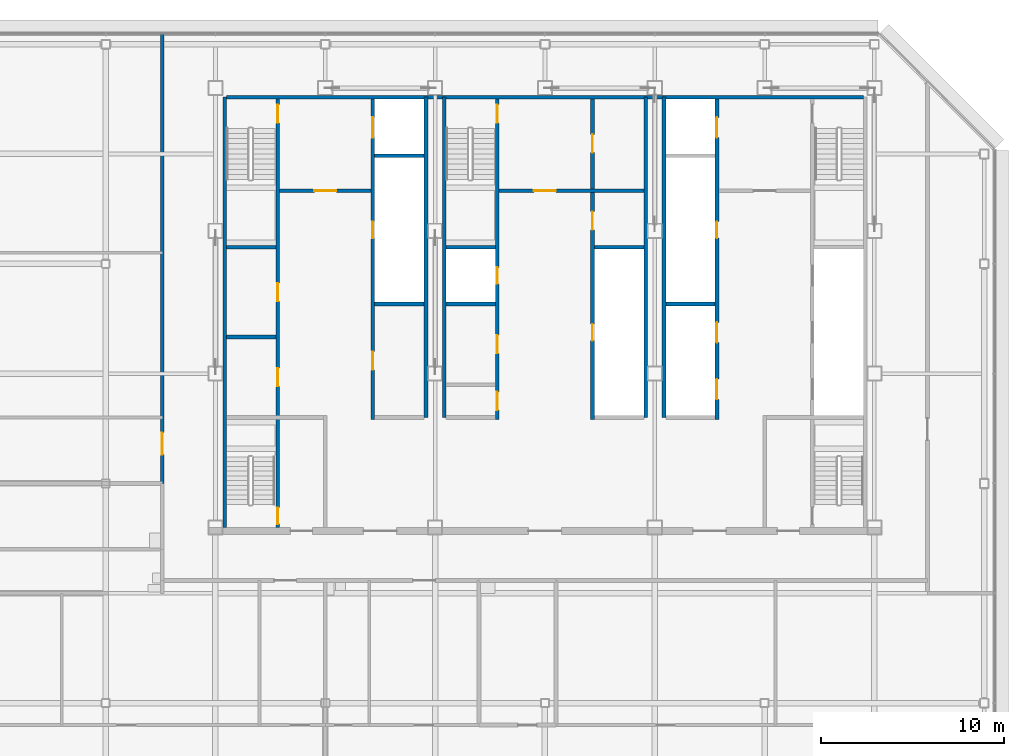
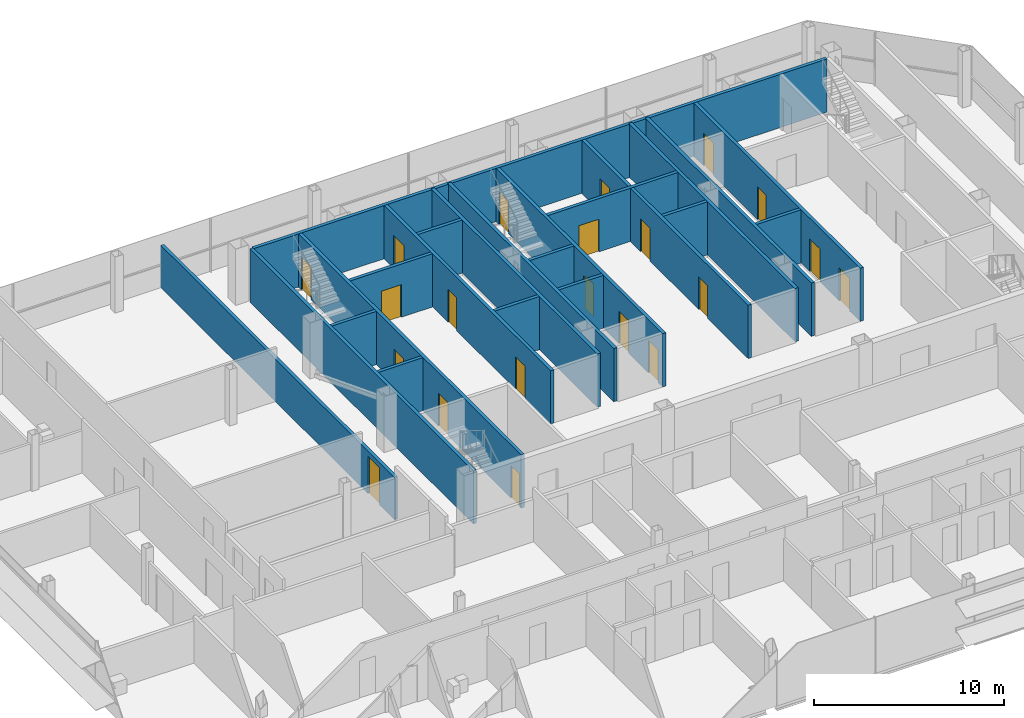
# One storey, part 24 of 28: 22 walls, 21 doors, 21 openings.
"""IFC4 building model written with IfcOpenShell, lengths in metres."""

from ifc_helpers import new_model, si_unit, direction, frame, frame_2d, origin, place, context, subcontext, project, spatial, rectangle, extrude, material, layer, layer_set, type_object, element, fill, save


model = new_model("IFC4")

# Units and contexts
model_context = context("Model", 3, precision=1e-05, world=origin(), true_north=direction((0.0, 1.0)))
body_context = subcontext(model_context, "Body", "Model", "MODEL_VIEW")
ifc_project = project(units=[si_unit("LENGTHUNIT", "METRE"), si_unit("AREAUNIT", "SQUARE_METRE"), si_unit("VOLUMEUNIT", "CUBIC_METRE"), si_unit("PLANEANGLEUNIT", "RADIAN"), si_unit("MASSUNIT", "GRAM", prefix="KILO")], contexts=[model_context])

# Site, building, storey
site_placement = place(None, origin())
site = spatial("IfcSite", under=ifc_project, at=site_placement, CompositionType="ELEMENT")
building_placement = place(site_placement, origin())
building = spatial("IfcBuilding", under=site, at=building_placement, Name="Sorahane Residences", CompositionType="ELEMENT")
storey_placement = place(building_placement, frame((0.0, 0.0, 301.60009765625)))
storey = spatial("IfcBuildingStorey", under=building, at=storey_placement, Name="L71", CompositionType="ELEMENT", Elevation=301.60009765625)

# Walls
ifc_material_1 = material(Name="Concrete C30", Category="concrete")
ifc_layer_1 = layer(ifc_material_1, 0.199951171875)
ifc_layer_set_1 = layer_set([ifc_layer_1], Name="Core face wall 200 EI 180")
wall_type_1 = type_object("IfcWallType", Name="Core face wall 200 EI 180", PredefinedType="SOLIDWALL", material=ifc_layer_set_1)
wall_1_placement = place(storey_placement, frame((6.5, 21.60009765625, 0.0), z_axis=(0.0, 0.0, 1.0), x_axis=(0.0, 1.0, 0.0)))
element("IfcWall", 1, at=wall_1_placement, inside=storey, type_object=wall_type_1, Name="L71 core face wall", PredefinedType="SOLIDWALL", context=body_context, shape_type="SweptSolid", body=[
    extrude(rectangle(XDim=23.5, YDim=0.199951171875, at=frame_2d((11.75, 0.0))), origin(), (0.0, 0.0, 1.0), 3.419921875),
])
wall_2_placement = place(storey_placement, frame((6.60009765625, 45.10009765625, 0.0), z_axis=(0.0, 0.0, 1.0), x_axis=(1.0, 0.0, 0.0)))
element("IfcWall", 2, at=wall_2_placement, inside=storey, type_object=wall_type_1, Name="L71 core face wall", PredefinedType="SOLIDWALL", context=body_context, shape_type="SweptSolid", body=[
    extrude(rectangle(XDim=34.7998046875, YDim=0.199951171875, at=frame_2d((17.39990234375, 0.0))), origin(), (0.0, 0.0, 1.0), 3.419921875),
])
for number, where, z_axis, x_axis, name in (
    (3, (17.5, 27.60009765625, 0.0), (0.0, 0.0, 1.0), (0.0, 1.0, 0.0), "L71 core face wall"),
    (4, (18.5, 27.60009765625, 0.0), (0.0, 0.0, 1.0), (0.0, 1.0, 0.0), "L71 core face wall"),
    (5, (29.5, 27.60009765625, 0.0), (0.0, 0.0, 1.0), (0.0, 1.0, 0.0), "L71 core face wall"),
    (6, (30.5, 27.60009765625, 0.0), (0.0, 0.0, 1.0), (0.0, 1.0, 0.0), "L71 core face wall"),
):
    element("IfcWall", number, at=place(storey_placement, frame(where, z_axis=z_axis, x_axis=x_axis)), inside=storey, type_object=wall_type_1, Name=name, PredefinedType="SOLIDWALL", context=body_context, shape_type="SweptSolid", body=[
        extrude(rectangle(XDim=17.5, YDim=0.199951171875, at=frame_2d((8.75, 0.0))), origin(), (0.0, 0.0, 1.0), 3.419921875),
    ])

# Wall, opening, door
ifc_material_2 = material(Name="Concrete blockwork C20 wall", Category="masonry")
ifc_layer_2 = layer(ifc_material_2, 0.199951171875)
ifc_layer_set_2 = layer_set([ifc_layer_2], Name="Corridor wall 200 EI 120")
wall_type_2 = type_object("IfcWallType", Name="Corridor wall 200 EI 120", PredefinedType="SOLIDWALL", material=ifc_layer_set_2)
wall_3_placement = place(storey_placement, frame((3.10009765625, 24.0, 0.0), z_axis=(0.0, 0.0, 1.0), x_axis=(0.0, 1.0, 0.0)))
wall_3 = element("IfcWall", 7, at=wall_3_placement, inside=storey, type_object=wall_type_2, Name="L71 corridor wall", PredefinedType="SOLIDWALL", context=body_context, shape_type="SweptSolid", body=[
    extrude(rectangle(XDim=24.60009765625, YDim=0.199951171875, at=frame_2d((12.300048828125, 0.0))), origin(), (0.0, 0.0, 1.0), 2.719970703125),
])
opening_1_placement = place(wall_3_placement, frame((1.580078125, 0.0, 0.0)))
opening_1 = element("IfcOpeningElement", 8, at=opening_1_placement, cuts=wall_3, Name="Opening L71-46", PredefinedType="OPENING", context=body_context, shape_type="SweptSolid", body=[
    extrude(rectangle(XDim=1.199951171875, YDim=2.39990234375, at=frame_2d((0.60009765625, 1.199951171875))), frame((0.0, 0.10986328125, 0.0), z_axis=(0.0, -1.0, 0.0), x_axis=(1.0, 0.0, 0.0)), (0.0, 0.0, 1.0), 0.219970703125),
])
ifc_material_3 = material(Name="Timber veneered fire door", Category="wood")
door_type_1 = type_object("IfcDoorType", Name="Flat entrance door 1200x2400 FD60", OperationType="NOTDEFINED", PredefinedType="DOOR", material=ifc_material_3)
door_1_placement = place(opening_1_placement, origin())
door_1 = element("IfcDoor", 9, at=door_1_placement, inside=storey, type_object=door_type_1, Name="Flat entrance door L71-46", OperationType="SINGLE_SWING_LEFT", OverallHeight=2.39990234375, OverallWidth=1.199951171875, PredefinedType="DOOR", context=body_context, shape_type="SweptSolid", body=[
    extrude(rectangle(XDim=1.199951171875, YDim=2.39990234375, at=frame_2d((0.60009765625, 1.199951171875))), frame((0.0, 0.02490234375, 0.0), z_axis=(0.0, -1.0, 0.0), x_axis=(1.0, 0.0, 0.0)), (0.0, 0.0, 1.0), 0.050048828125),
])
fill(opening_1, door_1)

ifc_material_4 = material(Name="Concrete C30", Category="concrete")
ifc_layer_3 = layer(ifc_material_4, 0.199951171875)
ifc_layer_set_3 = layer_set([ifc_layer_3], Name="Front room wall 200 EI 120")
wall_type_3 = type_object("IfcWallType", Name="Front room wall 200 EI 120", PredefinedType="PARTITIONING", material=ifc_layer_set_3)
wall_4_placement = place(storey_placement, frame((21.5, 40.0, 0.0), z_axis=(0.0, 0.0, 1.0), x_axis=(1.0, 0.0, 0.0)))
wall_4 = element("IfcWall", 10, at=wall_4_placement, inside=storey, type_object=wall_type_3, Name="L71 front room wall", PredefinedType="PARTITIONING", context=body_context, shape_type="SweptSolid", body=[
    extrude(rectangle(XDim=7.89990234375, YDim=0.199951171875, at=frame_2d((3.949951171875, 0.0))), origin(), (0.0, 0.0, 1.0), 3.419921875),
])
opening_2_placement = place(wall_4_placement, frame((1.89990234375, 0.0, 0.0)))
opening_2 = element("IfcOpeningElement", 11, at=opening_2_placement, cuts=wall_4, Name="Opening L71-C07", PredefinedType="OPENING", context=body_context, shape_type="SweptSolid", body=[
    extrude(rectangle(XDim=1.199951171875, YDim=2.10009765625, at=frame_2d((0.60009765625, 1.050048828125))), frame((0.0, 0.10986328125, 0.0), z_axis=(0.0, -1.0, 0.0), x_axis=(1.0, 0.0, 0.0)), (0.0, 0.0, 1.0), 0.219970703125),
])
ifc_material_5 = material(Name="Steel", Category="steel")
door_type_2 = type_object("IfcDoorType", Name="Front room door 1200x2100 FD120", OperationType="NOTDEFINED", PredefinedType="DOOR", material=ifc_material_5)
door_2_placement = place(opening_2_placement, frame((1.199951171875, 0.0, 0.0), z_axis=(0.0, 0.0, 1.0), x_axis=(-1.0, 0.0, 0.0)))
door_2 = element("IfcDoor", 12, at=door_2_placement, inside=storey, type_object=door_type_2, Name="Front room door Stair S3 vestibule L71", OperationType="DOUBLE_DOOR_SINGLE_SWING", OverallHeight=2.10009765625, OverallWidth=1.199951171875, PredefinedType="DOOR", context=body_context, shape_type="SweptSolid", body=[
    extrude(rectangle(XDim=1.199951171875, YDim=2.10009765625, at=frame_2d((0.60009765625, 1.050048828125))), frame((0.0, 0.02490234375, 0.0), z_axis=(0.0, -1.0, 0.0), x_axis=(1.0, 0.0, 0.0)), (0.0, 0.0, 1.0), 0.050048828125),
])
fill(opening_2, door_2)

wall_5_placement = place(storey_placement, frame((9.5, 40.0, 0.0), z_axis=(0.0, 0.0, 1.0), x_axis=(1.0, 0.0, 0.0)))
wall_5 = element("IfcWall", 13, at=wall_5_placement, inside=storey, type_object=wall_type_3, Name="L71 front room wall", PredefinedType="PARTITIONING", context=body_context, shape_type="SweptSolid", body=[
    extrude(rectangle(XDim=5.0, YDim=0.199951171875, at=frame_2d((2.5, 0.0))), origin(), (0.0, 0.0, 1.0), 3.419921875),
])
opening_3_placement = place(wall_5_placement, frame((1.89990234375, 0.0, 0.0)))
opening_3 = element("IfcOpeningElement", 14, at=opening_3_placement, cuts=wall_5, Name="Opening L71-C06", PredefinedType="OPENING", context=body_context, shape_type="SweptSolid", body=[
    extrude(rectangle(XDim=1.199951171875, YDim=2.10009765625, at=frame_2d((0.60009765625, 1.050048828125))), frame((0.0, 0.10986328125, 0.0), z_axis=(0.0, -1.0, 0.0), x_axis=(1.0, 0.0, 0.0)), (0.0, 0.0, 1.0), 0.219970703125),
])
door_3_placement = place(opening_3_placement, frame((1.199951171875, 0.0, 0.0), z_axis=(0.0, 0.0, 1.0), x_axis=(-1.0, 0.0, 0.0)))
door_3 = element("IfcDoor", 15, at=door_3_placement, inside=storey, type_object=door_type_2, Name="Front room door Firefighting lobby FF1 front room L71", OperationType="DOUBLE_DOOR_SINGLE_SWING", OverallHeight=2.10009765625, OverallWidth=1.199951171875, PredefinedType="DOOR", context=body_context, shape_type="SweptSolid", body=[
    extrude(rectangle(XDim=1.199951171875, YDim=2.10009765625, at=frame_2d((0.60009765625, 1.050048828125))), frame((0.0, 0.02490234375, 0.0), z_axis=(0.0, -1.0, 0.0), x_axis=(1.0, 0.0, 0.0)), (0.0, 0.0, 1.0), 0.050048828125),
])
fill(opening_3, door_3)

# Wall, openings, doors
ifc_material_6 = material(Name="Concrete C30", Category="concrete")
ifc_layer_4 = layer(ifc_material_6, 0.199951171875)
ifc_layer_set_4 = layer_set([ifc_layer_4], Name="Lift shaft wall 200 EI 120")
wall_type_4 = type_object("IfcWallType", Name="Lift shaft wall 200 EI 120", PredefinedType="SOLIDWALL", material=ifc_layer_set_4)
wall_6_placement = place(storey_placement, frame((14.60009765625, 27.5, 0.0), z_axis=(0.0, 0.0, 1.0), x_axis=(0.0, 1.0, 0.0)))
wall_6 = element("IfcWall", 16, at=wall_6_placement, inside=storey, type_object=wall_type_4, Name="L71 lift shaft wall", PredefinedType="SOLIDWALL", context=body_context, shape_type="SweptSolid", body=[
    extrude(rectangle(XDim=17.5, YDim=0.199951171875, at=frame_2d((8.75, 0.0))), origin(), (0.0, 0.0, 1.0), 3.419921875),
])
opening_4_placement = place(wall_6_placement, frame((15.39990234375, 0.0, 0.0)))
opening_4 = element("IfcOpeningElement", 17, at=opening_4_placement, cuts=wall_6, Name="Opening L71-C15", PredefinedType="OPENING", context=body_context, shape_type="SweptSolid", body=[
    extrude(rectangle(XDim=1.10009765625, YDim=2.10009765625, at=frame_2d((0.550048828125, 1.050048828125))), frame((0.0, 0.10986328125, 0.0), z_axis=(0.0, -1.0, 0.0), x_axis=(1.0, 0.0, 0.0)), (0.0, 0.0, 1.0), 0.219970703125),
])
opening_5_placement = place(wall_6_placement, frame((2.699951171875, 0.0, 0.0)))
opening_5 = element("IfcOpeningElement", 18, at=opening_5_placement, cuts=wall_6, Name="Opening L71-C18", PredefinedType="OPENING", context=body_context, shape_type="SweptSolid", body=[
    extrude(rectangle(XDim=1.0, YDim=2.10009765625, at=frame_2d((0.5, 1.050048828125))), frame((0.0, 0.10986328125, 0.0), z_axis=(0.0, -1.0, 0.0), x_axis=(1.0, 0.0, 0.0)), (0.0, 0.0, 1.0), 0.219970703125),
])
opening_6_placement = place(wall_6_placement, frame((9.89990234375, 0.0, 0.0)))
opening_6 = element("IfcOpeningElement", 19, at=opening_6_placement, cuts=wall_6, Name="Opening L71-C26", PredefinedType="OPENING", context=body_context, shape_type="SweptSolid", body=[
    extrude(rectangle(XDim=0.89990234375, YDim=2.10009765625, at=frame_2d((0.449951171875, 1.050048828125))), frame((0.0, 0.10986328125, 0.0), z_axis=(0.0, -1.0, 0.0), x_axis=(1.0, 0.0, 0.0)), (0.0, 0.0, 1.0), 0.219970703125),
])
ifc_material_7 = material(Name="Aluminium and stainless steel", Category="steel")
door_type_3 = type_object("IfcDoorType", Name="Lift landing door 1100x2100 E 60", OperationType="NOTDEFINED", PredefinedType="DOOR", material=ifc_material_7)
door_4_placement = place(opening_4_placement, origin())
door_4 = element("IfcDoor", 20, at=door_4_placement, inside=storey, type_object=door_type_3, Name="Lift landing door FF1 L71", OperationType="DOUBLE_DOOR_SLIDING", OverallHeight=2.10009765625, OverallWidth=1.10009765625, PredefinedType="DOOR", context=body_context, shape_type="SweptSolid", body=[
    extrude(rectangle(XDim=1.10009765625, YDim=2.10009765625, at=frame_2d((0.550048828125, 1.050048828125))), frame((0.0, 0.02490234375, 0.0), z_axis=(0.0, -1.0, 0.0), x_axis=(1.0, 0.0, 0.0)), (0.0, 0.0, 1.0), 0.050048828125),
])
fill(opening_4, door_4)
ifc_material_8 = material(Name="Steel", Category="steel")
door_type_4 = type_object("IfcDoorType", Name="Riser door 900x2100 FD120", OperationType="NOTDEFINED", PredefinedType="DOOR", material=ifc_material_8)
door_5_placement = place(opening_6_placement, origin())
door_5 = element("IfcDoor", 21, at=door_5_placement, inside=storey, type_object=door_type_4, Name="Riser door R1 L71", OperationType="SINGLE_SWING_LEFT", OverallHeight=2.10009765625, OverallWidth=0.89990234375, PredefinedType="DOOR", context=body_context, shape_type="SweptSolid", body=[
    extrude(rectangle(XDim=0.89990234375, YDim=2.10009765625, at=frame_2d((0.449951171875, 1.050048828125))), frame((0.0, 0.02490234375, 0.0), z_axis=(0.0, -1.0, 0.0), x_axis=(1.0, 0.0, 0.0)), (0.0, 0.0, 1.0), 0.050048828125),
])
fill(opening_6, door_5)
ifc_material_9 = material(Name="Steel", Category="steel")
door_type_5 = type_object("IfcDoorType", Name="Service room door 1000x2100 FD60", OperationType="NOTDEFINED", PredefinedType="DOOR", material=ifc_material_9)
door_6_placement = place(opening_5_placement, frame((1.0, 0.0, 0.0), z_axis=(0.0, 0.0, 1.0), x_axis=(-1.0, 0.0, 0.0)))
door_6 = element("IfcDoor", 22, at=door_6_placement, inside=storey, type_object=door_type_5, Name="Service room door Tea room L71", OperationType="SINGLE_SWING_RIGHT", OverallHeight=2.10009765625, OverallWidth=1.0, PredefinedType="DOOR", context=body_context, shape_type="SweptSolid", body=[
    extrude(rectangle(XDim=1.0, YDim=2.10009765625, at=frame_2d((0.5, 1.050048828125))), frame((0.0, 0.02490234375, 0.0), z_axis=(0.0, -1.0, 0.0), x_axis=(1.0, 0.0, 0.0)), (0.0, 0.0, 1.0), 0.050048828125),
])
fill(opening_5, door_6)

wall_7_placement = place(storey_placement, frame((33.39990234375, 27.5, 0.0), z_axis=(0.0, 0.0, 1.0), x_axis=(0.0, 1.0, 0.0)))
wall_7 = element("IfcWall", 23, at=wall_7_placement, inside=storey, type_object=wall_type_4, Name="L71 lift shaft wall", PredefinedType="SOLIDWALL", context=body_context, shape_type="SweptSolid", body=[
    extrude(rectangle(XDim=17.5, YDim=0.199951171875, at=frame_2d((8.75, 0.0))), origin(), (0.0, 0.0, 1.0), 3.419921875),
])
opening_7_placement = place(wall_7_placement, frame((1.10009765625, 0.0, 0.0)))
opening_7 = element("IfcOpeningElement", 24, at=opening_7_placement, cuts=wall_7, Name="Opening L71-C12", PredefinedType="OPENING", context=body_context, shape_type="SweptSolid", body=[
    extrude(rectangle(XDim=1.10009765625, YDim=2.10009765625, at=frame_2d((0.550048828125, 1.050048828125))), frame((0.0, 0.10986328125, 0.0), z_axis=(0.0, -1.0, 0.0), x_axis=(1.0, 0.0, 0.0)), (0.0, 0.0, 1.0), 0.219970703125),
])
opening_8_placement = place(wall_7_placement, frame((4.199951171875, 0.0, 0.0)))
opening_8 = element("IfcOpeningElement", 25, at=opening_8_placement, cuts=wall_7, Name="Opening L71-C13", PredefinedType="OPENING", context=body_context, shape_type="SweptSolid", body=[
    extrude(rectangle(XDim=1.10009765625, YDim=2.10009765625, at=frame_2d((0.550048828125, 1.050048828125))), frame((0.0, 0.10986328125, 0.0), z_axis=(0.0, -1.0, 0.0), x_axis=(1.0, 0.0, 0.0)), (0.0, 0.0, 1.0), 0.219970703125),
])
opening_9_placement = place(wall_7_placement, frame((15.39990234375, 0.0, 0.0)))
opening_9 = element("IfcOpeningElement", 26, at=opening_9_placement, cuts=wall_7, Name="Opening L71-C14", PredefinedType="OPENING", context=body_context, shape_type="SweptSolid", body=[
    extrude(rectangle(XDim=1.10009765625, YDim=2.10009765625, at=frame_2d((0.550048828125, 1.050048828125))), frame((0.0, 0.10986328125, 0.0), z_axis=(0.0, -1.0, 0.0), x_axis=(1.0, 0.0, 0.0)), (0.0, 0.0, 1.0), 0.219970703125),
])
opening_10_placement = place(wall_7_placement, frame((9.89990234375, 0.0, 0.0)))
opening_10 = element("IfcOpeningElement", 27, at=opening_10_placement, cuts=wall_7, Name="Opening L71-C27", PredefinedType="OPENING", context=body_context, shape_type="SweptSolid", body=[
    extrude(rectangle(XDim=0.89990234375, YDim=2.10009765625, at=frame_2d((0.449951171875, 1.050048828125))), frame((0.0, 0.10986328125, 0.0), z_axis=(0.0, -1.0, 0.0), x_axis=(1.0, 0.0, 0.0)), (0.0, 0.0, 1.0), 0.219970703125),
])
door_7_placement = place(opening_7_placement, origin())
door_7 = element("IfcDoor", 28, at=door_7_placement, inside=storey, type_object=door_type_3, Name="Lift landing door HR4 L71", OperationType="DOUBLE_DOOR_SLIDING", OverallHeight=2.10009765625, OverallWidth=1.10009765625, PredefinedType="DOOR", context=body_context, shape_type="SweptSolid", body=[
    extrude(rectangle(XDim=1.10009765625, YDim=2.10009765625, at=frame_2d((0.550048828125, 1.050048828125))), frame((0.0, 0.02490234375, 0.0), z_axis=(0.0, -1.0, 0.0), x_axis=(1.0, 0.0, 0.0)), (0.0, 0.0, 1.0), 0.050048828125),
])
fill(opening_7, door_7)
door_8_placement = place(opening_8_placement, origin())
door_8 = element("IfcDoor", 29, at=door_8_placement, inside=storey, type_object=door_type_3, Name="Lift landing door HR5 L71", OperationType="DOUBLE_DOOR_SLIDING", OverallHeight=2.10009765625, OverallWidth=1.10009765625, PredefinedType="DOOR", context=body_context, shape_type="SweptSolid", body=[
    extrude(rectangle(XDim=1.10009765625, YDim=2.10009765625, at=frame_2d((0.550048828125, 1.050048828125))), frame((0.0, 0.02490234375, 0.0), z_axis=(0.0, -1.0, 0.0), x_axis=(1.0, 0.0, 0.0)), (0.0, 0.0, 1.0), 0.050048828125),
])
fill(opening_8, door_8)
door_9_placement = place(opening_9_placement, origin())
door_9 = element("IfcDoor", 30, at=door_9_placement, inside=storey, type_object=door_type_3, Name="Lift landing door FF2 L71", OperationType="DOUBLE_DOOR_SLIDING", OverallHeight=2.10009765625, OverallWidth=1.10009765625, PredefinedType="DOOR", context=body_context, shape_type="SweptSolid", body=[
    extrude(rectangle(XDim=1.10009765625, YDim=2.10009765625, at=frame_2d((0.550048828125, 1.050048828125))), frame((0.0, 0.02490234375, 0.0), z_axis=(0.0, -1.0, 0.0), x_axis=(1.0, 0.0, 0.0)), (0.0, 0.0, 1.0), 0.050048828125),
])
fill(opening_9, door_9)
door_10_placement = place(opening_10_placement, frame((0.89990234375, 0.0, 0.0), z_axis=(0.0, 0.0, 1.0), x_axis=(-1.0, 0.0, 0.0)))
door_10 = element("IfcDoor", 31, at=door_10_placement, inside=storey, type_object=door_type_4, Name="Riser door R2 L71", OperationType="SINGLE_SWING_LEFT", OverallHeight=2.10009765625, OverallWidth=0.89990234375, PredefinedType="DOOR", context=body_context, shape_type="SweptSolid", body=[
    extrude(rectangle(XDim=0.89990234375, YDim=2.10009765625, at=frame_2d((0.449951171875, 1.050048828125))), frame((0.0, 0.02490234375, 0.0), z_axis=(0.0, -1.0, 0.0), x_axis=(1.0, 0.0, 0.0)), (0.0, 0.0, 1.0), 0.050048828125),
])
fill(opening_10, door_10)

# Walls
for number, where, z_axis, x_axis, name in (
    (32, (30.60009765625, 33.800048828125, 0.0), (0.0, 0.0, 1.0), (1.0, 0.0, 0.0), "L71 lift shaft wall"),
    (33, (14.699951171875, 41.89990234375, 0.0), (0.0, 0.0, 1.0), (1.0, 0.0, 0.0), "L71 lift shaft wall"),
):
    element("IfcWall", number, at=place(storey_placement, frame(where, z_axis=z_axis, x_axis=x_axis)), inside=storey, type_object=wall_type_4, Name=name, PredefinedType="SOLIDWALL", context=body_context, shape_type="SweptSolid", body=[
        extrude(rectangle(XDim=2.699951171875, YDim=0.199951171875, at=frame_2d((1.35009765625, 0.0))), origin(), (0.0, 0.0, 1.0), 3.419921875),
    ])

# Wall, openings, doors
ifc_material_10 = material(Name="Concrete C30", Category="concrete")
ifc_layer_5 = layer(ifc_material_10, 0.199951171875)
ifc_layer_set_5 = layer_set([ifc_layer_5], Name="Riser shaft wall 200 EI 120")
wall_type_5 = type_object("IfcWallType", Name="Riser shaft wall 200 EI 120", PredefinedType="SOLIDWALL", material=ifc_layer_set_5)
wall_8_placement = place(storey_placement, frame((26.60009765625, 27.5, 0.0), z_axis=(0.0, 0.0, 1.0), x_axis=(0.0, 1.0, 0.0)))
wall_8 = element("IfcWall", 34, at=wall_8_placement, inside=storey, type_object=wall_type_5, Name="L71 riser wall", PredefinedType="SOLIDWALL", context=body_context, shape_type="SweptSolid", body=[
    extrude(rectangle(XDim=17.5, YDim=0.199951171875, at=frame_2d((8.75, 0.0))), origin(), (0.0, 0.0, 1.0), 3.419921875),
])
opening_11_placement = place(wall_8_placement, frame((4.300048828125, 0.0, 0.0)))
opening_11 = element("IfcOpeningElement", 35, at=opening_11_placement, cuts=wall_8, Name="Opening L71-C29", PredefinedType="OPENING", context=body_context, shape_type="SweptSolid", body=[
    extrude(rectangle(XDim=0.89990234375, YDim=2.10009765625, at=frame_2d((0.449951171875, 1.050048828125))), frame((0.0, 0.10986328125, 0.0), z_axis=(0.0, -1.0, 0.0), x_axis=(1.0, 0.0, 0.0)), (0.0, 0.0, 1.0), 0.219970703125),
])
opening_12_placement = place(wall_8_placement, frame((10.35009765625, 0.0, 0.0)))
opening_12 = element("IfcOpeningElement", 36, at=opening_12_placement, cuts=wall_8, Name="Opening L71-C30", PredefinedType="OPENING", context=body_context, shape_type="SweptSolid", body=[
    extrude(rectangle(XDim=1.0, YDim=2.10009765625, at=frame_2d((0.5, 1.050048828125))), frame((0.0, 0.10986328125, 0.0), z_axis=(0.0, -1.0, 0.0), x_axis=(1.0, 0.0, 0.0)), (0.0, 0.0, 1.0), 0.219970703125),
])
opening_13_placement = place(wall_8_placement, frame((14.574951171875, 0.0, 0.0)))
opening_13 = element("IfcOpeningElement", 37, at=opening_13_placement, cuts=wall_8, Name="Opening L71-C31", PredefinedType="OPENING", context=body_context, shape_type="SweptSolid", body=[
    extrude(rectangle(XDim=1.0, YDim=2.10009765625, at=frame_2d((0.5, 1.050048828125))), frame((0.0, 0.10986328125, 0.0), z_axis=(0.0, -1.0, 0.0), x_axis=(1.0, 0.0, 0.0)), (0.0, 0.0, 1.0), 0.219970703125),
])
door_11_placement = place(opening_11_placement, origin())
door_11 = element("IfcDoor", 38, at=door_11_placement, inside=storey, type_object=door_type_4, Name="Riser door R4 L71", OperationType="SINGLE_SWING_LEFT", OverallHeight=2.10009765625, OverallWidth=0.89990234375, PredefinedType="DOOR", context=body_context, shape_type="SweptSolid", body=[
    extrude(rectangle(XDim=0.89990234375, YDim=2.10009765625, at=frame_2d((0.449951171875, 1.050048828125))), frame((0.0, 0.02490234375, 0.0), z_axis=(0.0, -1.0, 0.0), x_axis=(1.0, 0.0, 0.0)), (0.0, 0.0, 1.0), 0.050048828125),
])
fill(opening_11, door_11)
door_12_placement = place(opening_12_placement, frame((1.0, 0.0, 0.0), z_axis=(0.0, 0.0, 1.0), x_axis=(-1.0, 0.0, 0.0)))
door_12 = element("IfcDoor", 39, at=door_12_placement, inside=storey, type_object=door_type_5, Name="Service room door Linen room L71", OperationType="SINGLE_SWING_LEFT", OverallHeight=2.10009765625, OverallWidth=1.0, PredefinedType="DOOR", context=body_context, shape_type="SweptSolid", body=[
    extrude(rectangle(XDim=1.0, YDim=2.10009765625, at=frame_2d((0.5, 1.050048828125))), frame((0.0, 0.02490234375, 0.0), z_axis=(0.0, -1.0, 0.0), x_axis=(1.0, 0.0, 0.0)), (0.0, 0.0, 1.0), 0.050048828125),
])
fill(opening_12, door_12)
door_13_placement = place(opening_13_placement, frame((1.0, 0.0, 0.0), z_axis=(0.0, 0.0, 1.0), x_axis=(-1.0, 0.0, 0.0)))
door_13 = element("IfcDoor", 40, at=door_13_placement, inside=storey, type_object=door_type_5, Name="Service room door Cleaners' store L71", OperationType="SINGLE_SWING_LEFT", OverallHeight=2.10009765625, OverallWidth=1.0, PredefinedType="DOOR", context=body_context, shape_type="SweptSolid", body=[
    extrude(rectangle(XDim=1.0, YDim=2.10009765625, at=frame_2d((0.5, 1.050048828125))), frame((0.0, 0.02490234375, 0.0), z_axis=(0.0, -1.0, 0.0), x_axis=(1.0, 0.0, 0.0)), (0.0, 0.0, 1.0), 0.050048828125),
])
fill(opening_13, door_13)

# Walls
for number, where, z_axis, x_axis, name in (
    (41, (14.699951171875, 33.800048828125, 0.0), (0.0, 0.0, 1.0), (1.0, 0.0, 0.0), "L71 riser wall"),
    (42, (18.60009765625, 33.800048828125, 0.0), (0.0, 0.0, 1.0), (1.0, 0.0, 0.0), "L71 riser wall"),
    (43, (26.699951171875, 36.89990234375, 0.0), (0.0, 0.0, 1.0), (1.0, 0.0, 0.0), "L71 riser wall"),
):
    element("IfcWall", number, at=place(storey_placement, frame(where, z_axis=z_axis, x_axis=x_axis)), inside=storey, type_object=wall_type_5, Name=name, PredefinedType="SOLIDWALL", context=body_context, shape_type="SweptSolid", body=[
        extrude(rectangle(XDim=2.699951171875, YDim=0.199951171875, at=frame_2d((1.35009765625, 0.0))), origin(), (0.0, 0.0, 1.0), 3.419921875),
    ])
ifc_material_11 = material(Name="Concrete C30", Category="concrete")
ifc_layer_6 = layer(ifc_material_11, 0.199951171875)
ifc_layer_set_6 = layer_set([ifc_layer_6], Name="Service room partition 200 EI 60")
wall_type_6 = type_object("IfcWallType", Name="Service room partition 200 EI 60", PredefinedType="PARTITIONING", material=ifc_layer_set_6)
wall_9_placement = place(storey_placement, frame((6.60009765625, 32.0, 0.0), z_axis=(0.0, 0.0, 1.0), x_axis=(1.0, 0.0, 0.0)))
element("IfcWall", 44, at=wall_9_placement, inside=storey, type_object=wall_type_6, Name="L71 service room wall", PredefinedType="PARTITIONING", context=body_context, shape_type="SweptSolid", body=[
    extrude(rectangle(XDim=2.699951171875, YDim=0.199951171875, at=frame_2d((1.35009765625, 0.0))), origin(), (0.0, 0.0, 1.0), 3.419921875),
])

# Wall, openings, doors
ifc_material_12 = material(Name="Concrete C30", Category="concrete")
ifc_layer_7 = layer(ifc_material_12, 0.199951171875)
ifc_layer_set_7 = layer_set([ifc_layer_7], Name="Stair enclosure wall 200 EI 120")
wall_type_7 = type_object("IfcWallType", Name="Stair enclosure wall 200 EI 120", PredefinedType="SOLIDWALL", material=ifc_layer_set_7)
wall_10_placement = place(storey_placement, frame((21.39990234375, 27.5, 0.0), z_axis=(0.0, 0.0, 1.0), x_axis=(0.0, 1.0, 0.0)))
wall_10 = element("IfcWall", 45, at=wall_10_placement, inside=storey, type_object=wall_type_7, Name="L71 stair enclosure wall", PredefinedType="SOLIDWALL", context=body_context, shape_type="SweptSolid", body=[
    extrude(rectangle(XDim=17.5, YDim=0.199951171875, at=frame_2d((8.75, 0.0))), origin(), (0.0, 0.0, 1.0), 3.419921875),
])
opening_14_placement = place(wall_10_placement, frame((0.5, 0.0, 0.0)))
opening_14 = element("IfcOpeningElement", 46, at=opening_14_placement, cuts=wall_10, Name="Opening L71-C16", PredefinedType="OPENING", context=body_context, shape_type="SweptSolid", body=[
    extrude(rectangle(XDim=1.0, YDim=2.10009765625, at=frame_2d((0.5, 1.050048828125))), frame((0.0, 0.10986328125, 0.0), z_axis=(0.0, -1.0, 0.0), x_axis=(1.0, 0.0, 0.0)), (0.0, 0.0, 1.0), 0.219970703125),
])
opening_15_placement = place(wall_10_placement, frame((3.60009765625, 0.0, 0.0)))
opening_15 = element("IfcOpeningElement", 47, at=opening_15_placement, cuts=wall_10, Name="Opening L71-C17", PredefinedType="OPENING", context=body_context, shape_type="SweptSolid", body=[
    extrude(rectangle(XDim=1.0, YDim=2.10009765625, at=frame_2d((0.5, 1.050048828125))), frame((0.0, 0.10986328125, 0.0), z_axis=(0.0, -1.0, 0.0), x_axis=(1.0, 0.0, 0.0)), (0.0, 0.0, 1.0), 0.219970703125),
])
opening_16_placement = place(wall_10_placement, frame((16.199951171875, 0.0, 0.0)))
opening_16 = element("IfcOpeningElement", 48, at=opening_16_placement, cuts=wall_10, Name="Opening L71-C23", PredefinedType="OPENING", context=body_context, shape_type="SweptSolid", body=[
    extrude(rectangle(XDim=1.0, YDim=2.10009765625, at=frame_2d((0.5, 1.050048828125))), frame((0.0, 0.10986328125, 0.0), z_axis=(0.0, -1.0, 0.0), x_axis=(1.0, 0.0, 0.0)), (0.0, 0.0, 1.0), 0.219970703125),
])
opening_17_placement = place(wall_10_placement, frame((7.39990234375, 0.0, 0.0)))
opening_17 = element("IfcOpeningElement", 49, at=opening_17_placement, cuts=wall_10, Name="Opening L71-C28", PredefinedType="OPENING", context=body_context, shape_type="SweptSolid", body=[
    extrude(rectangle(XDim=0.89990234375, YDim=2.10009765625, at=frame_2d((0.449951171875, 1.050048828125))), frame((0.0, 0.10986328125, 0.0), z_axis=(0.0, -1.0, 0.0), x_axis=(1.0, 0.0, 0.0)), (0.0, 0.0, 1.0), 0.219970703125),
])
door_14_placement = place(opening_17_placement, frame((0.89990234375, 0.0, 0.0), z_axis=(0.0, 0.0, 1.0), x_axis=(-1.0, 0.0, 0.0)))
door_14 = element("IfcDoor", 50, at=door_14_placement, inside=storey, type_object=door_type_4, Name="Riser door R3 L71", OperationType="SINGLE_SWING_LEFT", OverallHeight=2.10009765625, OverallWidth=0.89990234375, PredefinedType="DOOR", context=body_context, shape_type="SweptSolid", body=[
    extrude(rectangle(XDim=0.89990234375, YDim=2.10009765625, at=frame_2d((0.449951171875, 1.050048828125))), frame((0.0, 0.02490234375, 0.0), z_axis=(0.0, -1.0, 0.0), x_axis=(1.0, 0.0, 0.0)), (0.0, 0.0, 1.0), 0.050048828125),
])
fill(opening_17, door_14)
door_15_placement = place(opening_14_placement, origin())
door_15 = element("IfcDoor", 51, at=door_15_placement, inside=storey, type_object=door_type_5, Name="Service room door Linen store L71", OperationType="SINGLE_SWING_RIGHT", OverallHeight=2.10009765625, OverallWidth=1.0, PredefinedType="DOOR", context=body_context, shape_type="SweptSolid", body=[
    extrude(rectangle(XDim=1.0, YDim=2.10009765625, at=frame_2d((0.5, 1.050048828125))), frame((0.0, 0.02490234375, 0.0), z_axis=(0.0, -1.0, 0.0), x_axis=(1.0, 0.0, 0.0)), (0.0, 0.0, 1.0), 0.050048828125),
])
fill(opening_14, door_15)
door_16_placement = place(opening_15_placement, origin())
door_16 = element("IfcDoor", 52, at=door_16_placement, inside=storey, type_object=door_type_5, Name="Service room door Library L71", OperationType="SINGLE_SWING_LEFT", OverallHeight=2.10009765625, OverallWidth=1.0, PredefinedType="DOOR", context=body_context, shape_type="SweptSolid", body=[
    extrude(rectangle(XDim=1.0, YDim=2.10009765625, at=frame_2d((0.5, 1.050048828125))), frame((0.0, 0.02490234375, 0.0), z_axis=(0.0, -1.0, 0.0), x_axis=(1.0, 0.0, 0.0)), (0.0, 0.0, 1.0), 0.050048828125),
])
fill(opening_15, door_16)
ifc_material_13 = material(Name="Steel", Category="steel")
door_type_6 = type_object("IfcDoorType", Name="Stair door 1000x2100 FD120", OperationType="NOTDEFINED", PredefinedType="DOOR", material=ifc_material_13)
door_17_placement = place(opening_16_placement, origin())
door_17 = element("IfcDoor", 53, at=door_17_placement, inside=storey, type_object=door_type_6, Name="Stair door S3 L71", OperationType="SINGLE_SWING_LEFT", OverallHeight=2.10009765625, OverallWidth=1.0, PredefinedType="DOOR", context=body_context, shape_type="SweptSolid", body=[
    extrude(rectangle(XDim=1.0, YDim=2.10009765625, at=frame_2d((0.5, 1.050048828125))), frame((0.0, 0.02490234375, 0.0), z_axis=(0.0, -1.0, 0.0), x_axis=(1.0, 0.0, 0.0)), (0.0, 0.0, 1.0), 0.050048828125),
])
fill(opening_16, door_17)

wall_11_placement = place(storey_placement, frame((9.39990234375, 21.60009765625, 0.0), z_axis=(0.0, 0.0, 1.0), x_axis=(0.0, 1.0, 0.0)))
wall_11 = element("IfcWall", 54, at=wall_11_placement, inside=storey, type_object=wall_type_7, Name="L71 stair enclosure wall", PredefinedType="SOLIDWALL", context=body_context, shape_type="SweptSolid", body=[
    extrude(rectangle(XDim=23.39990234375, YDim=0.199951171875, at=frame_2d((11.699951171875, 0.0))), origin(), (0.0, 0.0, 1.0), 3.419921875),
])
opening_18_placement = place(wall_11_placement, frame((7.699951171875, 0.0, 0.0)))
opening_18 = element("IfcOpeningElement", 55, at=opening_18_placement, cuts=wall_11, Name="Opening L71-C19", PredefinedType="OPENING", context=body_context, shape_type="SweptSolid", body=[
    extrude(rectangle(XDim=1.0, YDim=2.10009765625, at=frame_2d((0.5, 1.050048828125))), frame((0.0, 0.10986328125, 0.0), z_axis=(0.0, -1.0, 0.0), x_axis=(1.0, 0.0, 0.0)), (0.0, 0.0, 1.0), 0.219970703125),
])
opening_19_placement = place(wall_11_placement, frame((12.35009765625, 0.0, 0.0)))
opening_19 = element("IfcOpeningElement", 56, at=opening_19_placement, cuts=wall_11, Name="Opening L71-C20", PredefinedType="OPENING", context=body_context, shape_type="SweptSolid", body=[
    extrude(rectangle(XDim=1.0, YDim=2.10009765625, at=frame_2d((0.5, 1.050048828125))), frame((0.0, 0.10986328125, 0.0), z_axis=(0.0, -1.0, 0.0), x_axis=(1.0, 0.0, 0.0)), (0.0, 0.0, 1.0), 0.219970703125),
])
opening_20_placement = place(wall_11_placement, frame((22.10009765625, 0.0, 0.0)))
opening_20 = element("IfcOpeningElement", 57, at=opening_20_placement, cuts=wall_11, Name="Opening L71-C21", PredefinedType="OPENING", context=body_context, shape_type="SweptSolid", body=[
    extrude(rectangle(XDim=1.0, YDim=2.10009765625, at=frame_2d((0.5, 1.050048828125))), frame((0.0, 0.10986328125, 0.0), z_axis=(0.0, -1.0, 0.0), x_axis=(1.0, 0.0, 0.0)), (0.0, 0.0, 1.0), 0.219970703125),
])
opening_21_placement = place(wall_11_placement, frame((0.175048828125, 0.0, 0.0)))
opening_21 = element("IfcOpeningElement", 58, at=opening_21_placement, cuts=wall_11, Name="Opening L71-C24", PredefinedType="OPENING", context=body_context, shape_type="SweptSolid", body=[
    extrude(rectangle(XDim=0.89990234375, YDim=2.10009765625, at=frame_2d((0.449951171875, 1.050048828125))), frame((0.0, 0.10986328125, 0.0), z_axis=(0.0, -1.0, 0.0), x_axis=(1.0, 0.0, 0.0)), (0.0, 0.0, 1.0), 0.219970703125),
])
door_18_placement = place(opening_18_placement, origin())
door_18 = element("IfcDoor", 59, at=door_18_placement, inside=storey, type_object=door_type_5, Name="Service room door Library L71", OperationType="SINGLE_SWING_LEFT", OverallHeight=2.10009765625, OverallWidth=1.0, PredefinedType="DOOR", context=body_context, shape_type="SweptSolid", body=[
    extrude(rectangle(XDim=1.0, YDim=2.10009765625, at=frame_2d((0.5, 1.050048828125))), frame((0.0, 0.02490234375, 0.0), z_axis=(0.0, -1.0, 0.0), x_axis=(1.0, 0.0, 0.0)), (0.0, 0.0, 1.0), 0.050048828125),
])
fill(opening_18, door_18)
door_19_placement = place(opening_19_placement, origin())
door_19 = element("IfcDoor", 60, at=door_19_placement, inside=storey, type_object=door_type_5, Name="Service room door Quiet room L71", OperationType="SINGLE_SWING_LEFT", OverallHeight=2.10009765625, OverallWidth=1.0, PredefinedType="DOOR", context=body_context, shape_type="SweptSolid", body=[
    extrude(rectangle(XDim=1.0, YDim=2.10009765625, at=frame_2d((0.5, 1.050048828125))), frame((0.0, 0.02490234375, 0.0), z_axis=(0.0, -1.0, 0.0), x_axis=(1.0, 0.0, 0.0)), (0.0, 0.0, 1.0), 0.050048828125),
])
fill(opening_19, door_19)
door_20_placement = place(opening_20_placement, origin())
door_20 = element("IfcDoor", 61, at=door_20_placement, inside=storey, type_object=door_type_6, Name="Stair door S1 L71", OperationType="SINGLE_SWING_LEFT", OverallHeight=2.10009765625, OverallWidth=1.0, PredefinedType="DOOR", context=body_context, shape_type="SweptSolid", body=[
    extrude(rectangle(XDim=1.0, YDim=2.10009765625, at=frame_2d((0.5, 1.050048828125))), frame((0.0, 0.02490234375, 0.0), z_axis=(0.0, -1.0, 0.0), x_axis=(1.0, 0.0, 0.0)), (0.0, 0.0, 1.0), 0.050048828125),
])
fill(opening_20, door_20)
ifc_material_14 = material(Name="Steel", Category="steel")
door_type_7 = type_object("IfcDoorType", Name="Stair door 900x2100 FD120", OperationType="NOTDEFINED", PredefinedType="DOOR", material=ifc_material_14)
door_21_placement = place(opening_21_placement, origin())
door_21 = element("IfcDoor", 62, at=door_21_placement, inside=storey, type_object=door_type_7, Name="Stair door S4 L71", OperationType="SINGLE_SWING_LEFT", OverallHeight=2.10009765625, OverallWidth=0.89990234375, PredefinedType="DOOR", context=body_context, shape_type="SweptSolid", body=[
    extrude(rectangle(XDim=0.89990234375, YDim=2.10009765625, at=frame_2d((0.449951171875, 1.050048828125))), frame((0.0, 0.02490234375, 0.0), z_axis=(0.0, -1.0, 0.0), x_axis=(1.0, 0.0, 0.0)), (0.0, 0.0, 1.0), 0.050048828125),
])
fill(opening_21, door_21)

# Walls
for number, where, z_axis, x_axis, name in (
    (63, (18.60009765625, 36.89990234375, 0.0), (0.0, 0.0, 1.0), (1.0, 0.0, 0.0), "L71 stair enclosure wall"),
    (64, (6.60009765625, 36.89990234375, 0.0), (0.0, 0.0, 1.0), (1.0, 0.0, 0.0), "L71 stair enclosure wall"),
):
    element("IfcWall", number, at=place(storey_placement, frame(where, z_axis=z_axis, x_axis=x_axis)), inside=storey, type_object=wall_type_7, Name=name, PredefinedType="SOLIDWALL", context=body_context, shape_type="SweptSolid", body=[
        extrude(rectangle(XDim=2.699951171875, YDim=0.199951171875, at=frame_2d((1.35009765625, 0.0))), origin(), (0.0, 0.0, 1.0), 3.419921875),
    ])

save(model, "model.ifc")
